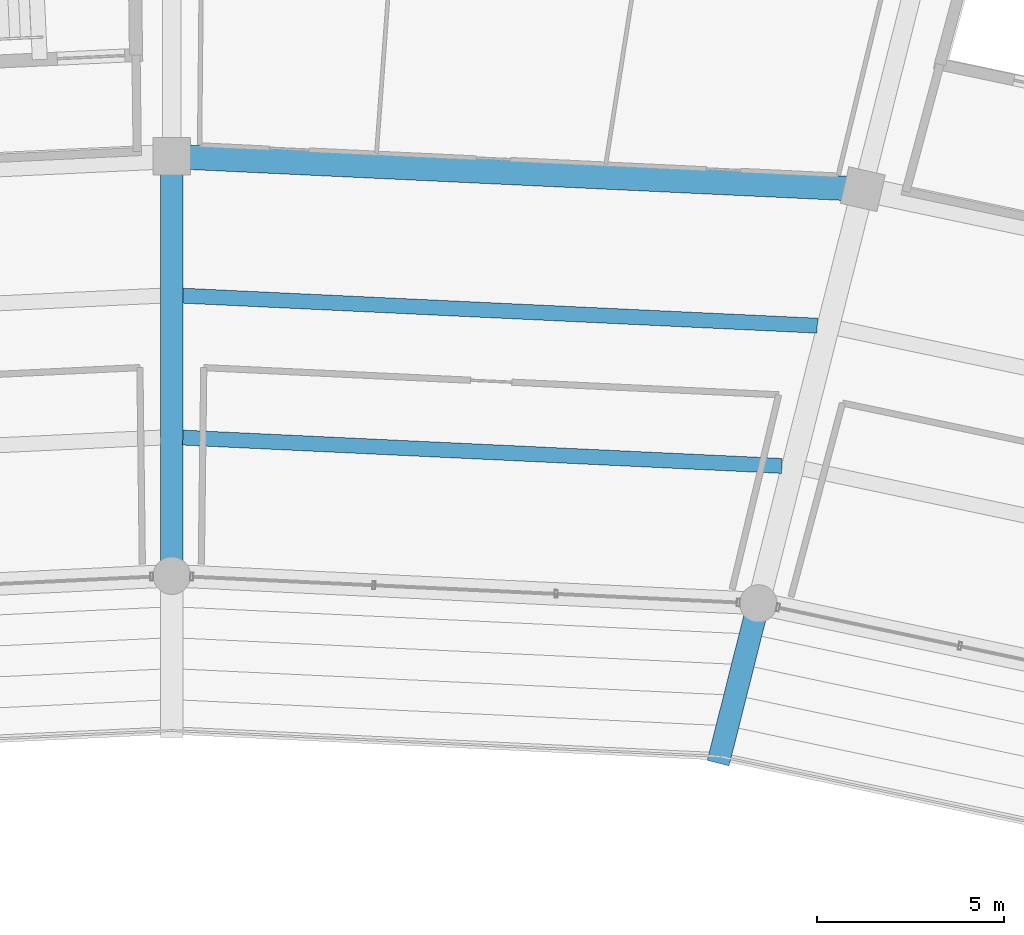
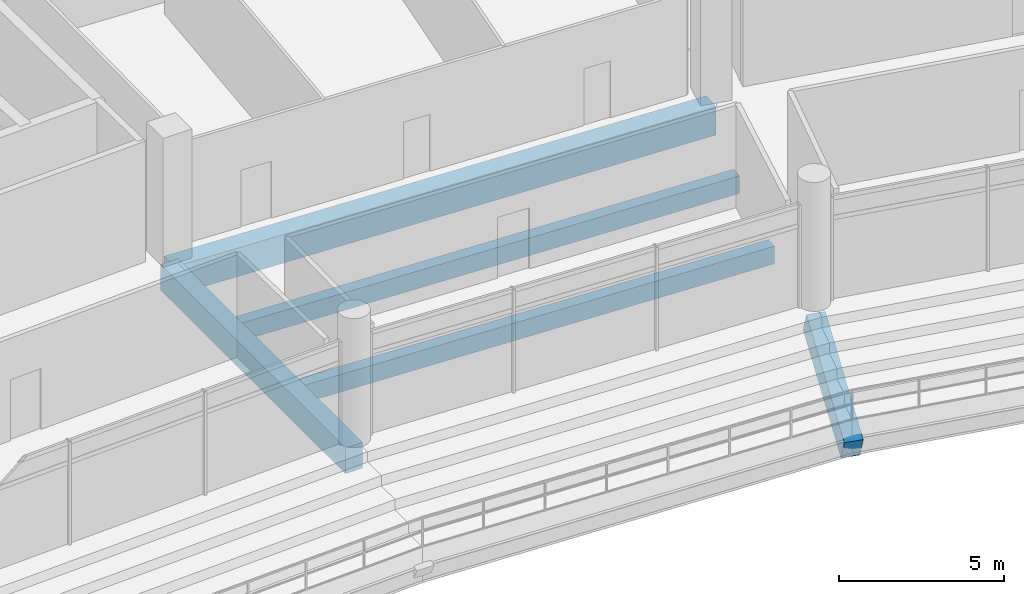
# One storey, part 96 of 171: 5 beams.
"""IFC4 building model written with IfcOpenShell, lengths in metres."""

from ifc_helpers import new_model, si_unit, direction, frame, origin, origin_2d, place, context, subcontext, project, spatial, rectangle, extrude, material, material_profile, profile_set, type_object, element, save


model = new_model("IFC4")

# Units and contexts
model_context = context("Model", 3, precision=1e-05, world=origin(), true_north=direction((0.0, 1.0)))
body_context = subcontext(model_context, "Body", "Model", "MODEL_VIEW")
ifc_project = project(units=[si_unit("LENGTHUNIT", "METRE"), si_unit("AREAUNIT", "SQUARE_METRE"), si_unit("VOLUMEUNIT", "CUBIC_METRE"), si_unit("PLANEANGLEUNIT", "RADIAN"), si_unit("MASSUNIT", "GRAM", prefix="KILO")], contexts=[model_context])

# Site, building, storey
site_placement = place(None, origin())
site = spatial("IfcSite", under=ifc_project, at=site_placement, CompositionType="ELEMENT")
building_placement = place(site_placement, origin())
building = spatial("IfcBuilding", under=site, at=building_placement, Name="Kazemori Nagisa Stadium", CompositionType="ELEMENT")
storey_placement = place(building_placement, frame((0.0, 0.0, 15.639892578125)))
storey = spatial("IfcBuildingStorey", under=building, at=storey_placement, Name="L03", CompositionType="ELEMENT", Elevation=15.639892578125)

# Beams
ifc_material = material(Name="Concrete C40/50 (Fc42)", Category="concrete")
ifc_material_profile_1 = material_profile(ifc_material, rectangle(XDim=0.60009765625, YDim=0.949951171875, at=origin_2d()), Name="RC-BM-600x950")
ifc_profile_set_1 = profile_set([ifc_material_profile_1], Name="Concrete C40/50 (Fc42)")
beam_type_1 = type_object("IfcBeamType", Name="Beam_BG-RC600X950", PredefinedType="BEAM", material=ifc_profile_set_1)
beam_1_placement = place(storey_placement, frame((123.0, 164.780029296875, -0.73486328125), z_axis=(0.0, 1.0, 0.0), x_axis=(-1.0, 0.0, 0.0)))
element("IfcBeam", 1, at=beam_1_placement, inside=storey, type_object=beam_type_1, Name="Radial girder BG-RC600X950 L03 R1-R2-08", PredefinedType="BEAM", context=body_context, shape_type="SweptSolid", body=[
    extrude(rectangle(XDim=0.60009765625, YDim=0.949951171875, at=origin_2d()), origin(), (0.0, 0.0, 1.0), 11.179931640625),
])
ifc_material_profile_2 = material_profile(ifc_material, rectangle(XDim=0.64990234375, YDim=1.050048828125, at=origin_2d()), Name="RC-BM-650x1050")
ifc_profile_set_2 = profile_set([ifc_material_profile_2], Name="Concrete C40/50 (Fc42)")
beam_type_2 = type_object("IfcBeamType", Name="Beam_BG-RC650X1050", PredefinedType="BEAM", material=ifc_profile_set_2)
beam_2_placement = place(storey_placement, frame((141.427734375, 175.088623046875, -0.784912109375), z_axis=(-0.9988839804, 0.047231278829, 0.0), x_axis=(-0.047231278829, -0.9988839804, 0.0)))
element("IfcBeam", 2, at=beam_2_placement, inside=storey, type_object=beam_type_2, Name="Ring girder BG-RC650X1050 L03 R2-07", PredefinedType="BEAM", context=body_context, shape_type="SweptSolid", body=[
    extrude(rectangle(XDim=0.64990234375, YDim=1.050048828125, at=origin_2d()), origin(), (0.0, 0.0, 1.0), 18.4482421875),
])
ifc_material_profile_3 = material_profile(ifc_material, rectangle(XDim=0.39990234375, YDim=0.64990234375, at=origin_2d()), Name="RC-BM-400x650")
ifc_profile_set_3 = profile_set([ifc_material_profile_3], Name="Concrete C40/50 (Fc42)")
beam_type_3 = type_object("IfcBeamType", Name="Beam_BJ-RC400X650", PredefinedType="JOIST", material=ifc_profile_set_3)
beam_3_placement = place(storey_placement, frame((139.26904296875, 167.708740234375, -0.5849609375), z_axis=(-0.998883867028, 0.047233676462, 0.0), x_axis=(-0.047233676462, -0.998883867028, 0.0)))
element("IfcBeam", 3, at=beam_3_placement, inside=storey, type_object=beam_type_3, Name="Concourse joist BJ-RC400X650 L03 B07-1", PredefinedType="JOIST", context=body_context, shape_type="SweptSolid", body=[
    extrude(rectangle(XDim=0.39990234375, YDim=0.64990234375, at=origin_2d()), origin(), (0.0, 0.0, 1.0), 15.9921875),
])
beam_4_placement = place(storey_placement, frame((140.211669921875, 171.4482421875, -0.5849609375), z_axis=(-0.998884256715, 0.047225434754, 0.0), x_axis=(-0.047225434754, -0.998884256715, 0.0)))
element("IfcBeam", 4, at=beam_4_placement, inside=storey, type_object=beam_type_3, Name="Concourse joist BJ-RC400X650 L03 B07-2", PredefinedType="JOIST", context=body_context, shape_type="SweptSolid", body=[
    extrude(rectangle(XDim=0.39990234375, YDim=0.64990234375, at=origin_2d()), origin(), (0.0, 0.0, 1.0), 16.935791015625),
])
ifc_material_profile_4 = material_profile(ifc_material, rectangle(XDim=0.60009765625, YDim=0.89990234375, at=origin_2d()), Name="RC-RK-600x900")
ifc_profile_set_4 = profile_set([ifc_material_profile_4], Name="Concrete C40/50 (Fc42)")
beam_type_4 = type_object("IfcBeamType", Name="Beam_RK-RC600X900", PredefinedType="USERDEFINED", material=ifc_profile_set_4)
beam_5_placement = place(storey_placement, frame((137.61376953125, 159.9609375, -2.58984375), z_axis=(0.222769492594, 0.883726365563, 0.411584091017), x_axis=(-0.969666141927, 0.244433167143, 0.0)))
element("IfcBeam", 5, at=beam_5_placement, inside=storey, type_object=beam_type_4, Name="Raker beam club RK2-07", ObjectType="RAKER BEAM", PredefinedType="USERDEFINED", context=body_context, shape_type="SweptSolid", body=[
    extrude(rectangle(XDim=0.60009765625, YDim=0.89990234375, at=origin_2d()), origin(), (0.0, 0.0, 1.0), 4.615966796875),
])

save(model, "model.ifc")
